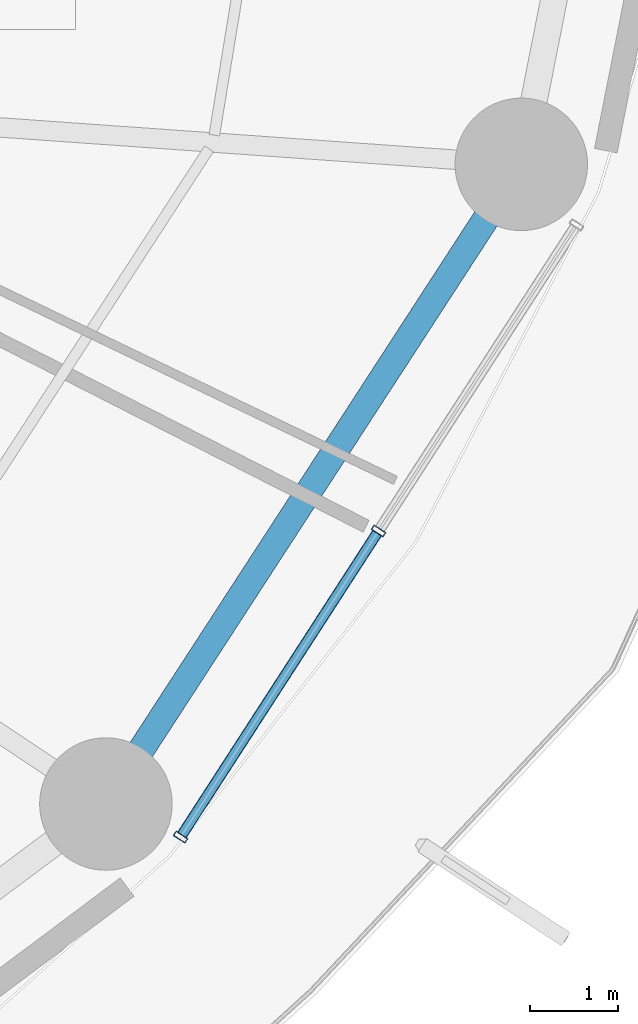
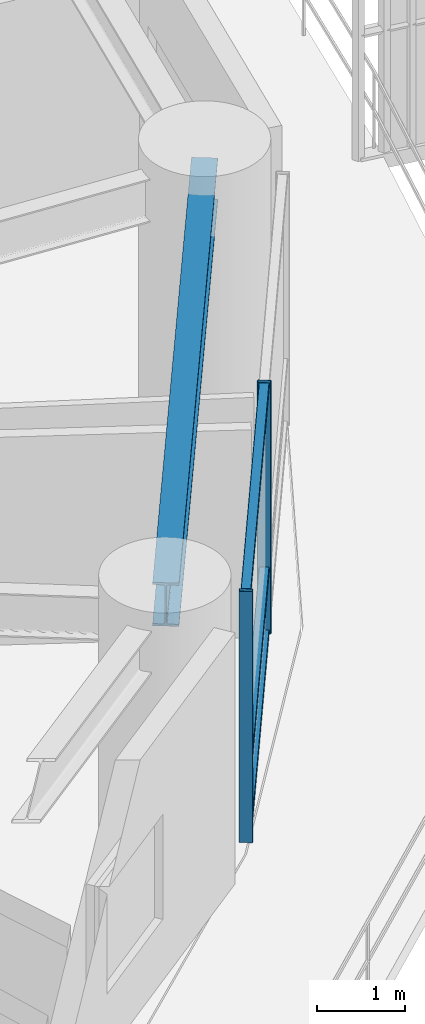
# One storey, part 10 of 33: 5 members, 1 beam, 1 element without a shape of its own.
"""IFC4 building model written with IfcOpenShell, lengths in metres."""

from ifc_helpers import new_model, si_unit, direction, frame, origin, origin_2d, place, context, subcontext, project, spatial, hollow_rectangle, i_section, extrude, material, layer, layer_set, material_profile, profile_set, type_object, element, aggregate, save


model = new_model("IFC4")

# Units and contexts
model_context = context("Model", 3, precision=1e-05, world=origin(), true_north=direction((0.0, 1.0)))
body_context = subcontext(model_context, "Body", "Model", "MODEL_VIEW")
ifc_project = project(units=[si_unit("LENGTHUNIT", "METRE"), si_unit("AREAUNIT", "SQUARE_METRE"), si_unit("VOLUMEUNIT", "CUBIC_METRE"), si_unit("PLANEANGLEUNIT", "RADIAN"), si_unit("MASSUNIT", "GRAM", prefix="KILO")], contexts=[model_context])

# Site, building, storey
site_placement = place(None, origin())
site = spatial("IfcSite", under=ifc_project, at=site_placement, CompositionType="ELEMENT")
building_placement = place(site_placement, origin())
building = spatial("IfcBuilding", under=site, at=building_placement, Name="Kelanora Arch Commons", CompositionType="ELEMENT")
storey_placement = place(building_placement, frame((0.0, 0.0, 37.5)))
storey = spatial("IfcBuildingStorey", under=building, at=storey_placement, Name="L09", CompositionType="ELEMENT", Elevation=37.5)

# Beam
ifc_material_1 = material(Name="Steel S355", Category="steel")
ifc_material_profile_1 = material_profile(ifc_material_1, i_section(OverallWidth=0.300048828125, OverallDepth=0.60009765625, WebThickness=0.015380859375, FlangeThickness=0.030029296875, FilletRadius=0.027099609375, at=origin_2d()), Name="HEB600")
ifc_profile_set_1 = profile_set([ifc_material_profile_1], Name="Steel S355")
beam_type = type_object("IfcBeamType", Name="BM-SPN-Z1", PredefinedType="SPANDREL", material=ifc_profile_set_1)
beam_placement = place(storey_placement, frame((94.8642578125, 42.706298828125, 3.18994140625), z_axis=(0.544583445345, 0.83870666568, 0.0), x_axis=(-0.83870666568, 0.544583445345, 0.0)))
element("IfcBeam", 1, at=beam_placement, inside=storey, type_object=beam_type, Name="Perimeter Spandrel Beam BS-32 L09", PredefinedType="SPANDREL", context=body_context, shape_type="SweptSolid", body=[
    extrude(i_section(OverallWidth=0.300048828125, OverallDepth=0.60009765625, WebThickness=0.015380859375, FlangeThickness=0.030029296875, FilletRadius=0.027099609375, at=origin_2d()), origin(), (0.0, 0.0, 1.0), 8.415283203125),
])

# Curtain wall, members
ifc_material_2 = material(Name="Terracotta ceramic-fritted low-E glass and aluminium", Category="masonry")
ifc_layer = layer(ifc_material_2, 0.159912109375)
ifc_layer_set = layer_set([ifc_layer], Name="Terracotta ceramic-fritted low-E glass and aluminium")
curtain_wall_type = type_object("IfcCurtainWallType", Name="CW-SYS-01", PredefinedType="NOTDEFINED", material=ifc_layer_set)
curtain_wall_placement = place(storey_placement, origin())
curtain_wall = element("IfcCurtainWall", 2, at=curtain_wall_placement, inside=storey, type_object=curtain_wall_type, Name="Unitised Curtain Wall L09-B16", PredefinedType="NOTDEFINED")
ifc_material_3 = material(Name="Powder-coated aluminium terracotta", Category="masonry")
ifc_material_profile_2 = material_profile(ifc_material_3, hollow_rectangle(XDim=0.159912109375, YDim=0.06005859375, WallThickness=0.0048828125, InnerFilletRadius=0.0048828125, OuterFilletRadius=0.010009765625, at=origin_2d()), Name="CWM160x60")
ifc_profile_set_2 = profile_set([ifc_material_profile_2], Name="Powder-coated aluminium terracotta")
member_type_1 = type_object("IfcMemberType", Name="CWM-STD", PredefinedType="MULLION", material=ifc_profile_set_2)
member_1_placement = place(storey_placement, frame((95.58935546875, 42.14697265625, 0.0), z_axis=(0.0, 0.0, 1.0), x_axis=(-0.83972982332, 0.543004441812, 0.0)))
member_1 = element("IfcMember", 3, at=member_1_placement, type_object=member_type_1, Name="CW-01 mullion 1", PredefinedType="MULLION", context=body_context, shape_type="SweptSolid", body=[
    extrude(hollow_rectangle(XDim=0.159912109375, YDim=0.06005859375, WallThickness=0.0048828125, InnerFilletRadius=0.0048828125, OuterFilletRadius=0.010009765625, at=origin_2d()), origin(), (0.0, 0.0, 1.0), 3.47509765625),
])
member_2_placement = place(storey_placement, frame((97.830810546875, 45.61328125, 0.0), z_axis=(0.0, 0.0, 1.0), x_axis=(-0.83972982332, 0.543004441812, 0.0)))
member_2 = element("IfcMember", 4, at=member_2_placement, type_object=member_type_1, Name="CW-01 mullion 2", PredefinedType="MULLION", context=body_context, shape_type="SweptSolid", body=[
    extrude(hollow_rectangle(XDim=0.159912109375, YDim=0.06005859375, WallThickness=0.0048828125, InnerFilletRadius=0.0048828125, OuterFilletRadius=0.010009765625, at=origin_2d()), origin(), (0.0, 0.0, 1.0), 3.47509765625),
])
ifc_material_profile_3 = material_profile(ifc_material_3, hollow_rectangle(XDim=0.1201171875, YDim=0.06005859375, WallThickness=0.0048828125, InnerFilletRadius=0.0048828125, OuterFilletRadius=0.010009765625, at=origin_2d()), Name="CWT120x60")
ifc_profile_set_3 = profile_set([ifc_material_profile_3], Name="Powder-coated aluminium terracotta")
member_type_2 = type_object("IfcMemberType", Name="CWT-STD", PredefinedType="USERDEFINED", material=ifc_profile_set_3)
member_3_placement = place(storey_placement, frame((95.605712890625, 42.17236328125, 0.030029296875), z_axis=(0.542997414293, 0.839734367566, 0.0), x_axis=(-0.839734367566, 0.542997414293, 0.0)))
member_3 = element("IfcMember", 5, at=member_3_placement, type_object=member_type_2, Name="CW-01 transom 1.1", ObjectType="TRANSOM", PredefinedType="USERDEFINED", context=body_context, shape_type="SweptSolid", body=[
    extrude(hollow_rectangle(XDim=0.1201171875, YDim=0.06005859375, WallThickness=0.0048828125, InnerFilletRadius=0.0048828125, OuterFilletRadius=0.010009765625, at=origin_2d()), origin(), (0.0, 0.0, 1.0), 4.067626953125),
])
member_4_placement = place(storey_placement, frame((95.605712890625, 42.17236328125, 0.89990234375), z_axis=(0.542997414293, 0.839734367566, 0.0), x_axis=(-0.839734367566, 0.542997414293, 0.0)))
member_4 = element("IfcMember", 6, at=member_4_placement, type_object=member_type_2, Name="CW-01 transom 1.2", ObjectType="TRANSOM", PredefinedType="USERDEFINED", context=body_context, shape_type="SweptSolid", body=[
    extrude(hollow_rectangle(XDim=0.1201171875, YDim=0.06005859375, WallThickness=0.0048828125, InnerFilletRadius=0.0048828125, OuterFilletRadius=0.010009765625, at=origin_2d()), origin(), (0.0, 0.0, 1.0), 4.067626953125),
])
member_5_placement = place(storey_placement, frame((95.605712890625, 42.17236328125, 3.445068359375), z_axis=(0.542997414293, 0.839734367566, 0.0), x_axis=(-0.839734367566, 0.542997414293, 0.0)))
member_5 = element("IfcMember", 7, at=member_5_placement, type_object=member_type_2, Name="CW-01 transom 1.3", ObjectType="TRANSOM", PredefinedType="USERDEFINED", context=body_context, shape_type="SweptSolid", body=[
    extrude(hollow_rectangle(XDim=0.1201171875, YDim=0.06005859375, WallThickness=0.0048828125, InnerFilletRadius=0.0048828125, OuterFilletRadius=0.010009765625, at=origin_2d()), origin(), (0.0, 0.0, 1.0), 4.067626953125),
])
aggregate(curtain_wall, [member_1, member_2, member_3, member_4, member_5])

save(model, "model.ifc")
